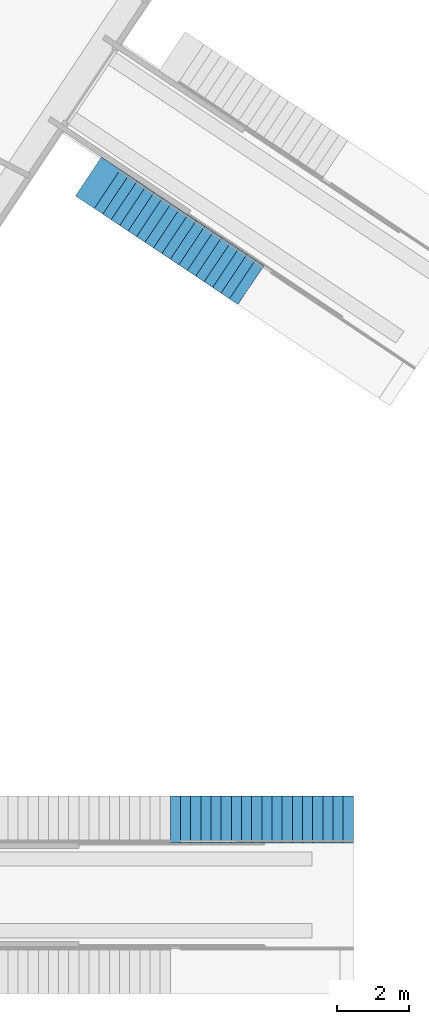
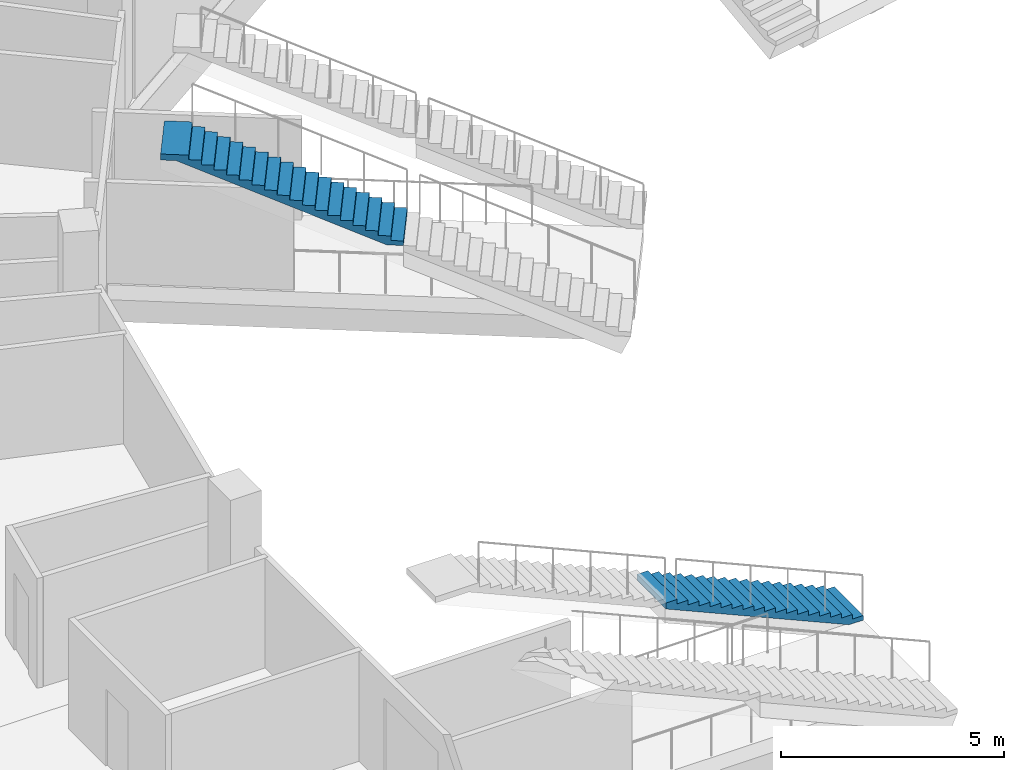
# One storey, part 114 of 175: 2 stair flights, 2 elements without a shape of their own.
"""IFC4 building model written with IfcOpenShell, lengths in metres."""

from ifc_helpers import new_model, si_unit, direction, frame, origin, place, context, subcontext, project, spatial, faceted_brep, material, type_object, element, aggregate, save


model = new_model("IFC4")

# Units and contexts
model_context = context("Model", 3, precision=1e-05, world=origin(), true_north=direction((0.0, 1.0)))
body_context = subcontext(model_context, "Body", "Model", "MODEL_VIEW")
ifc_project = project(units=[si_unit("LENGTHUNIT", "METRE"), si_unit("AREAUNIT", "SQUARE_METRE"), si_unit("VOLUMEUNIT", "CUBIC_METRE"), si_unit("PLANEANGLEUNIT", "RADIAN"), si_unit("MASSUNIT", "GRAM", prefix="KILO")], contexts=[model_context])

# Site, building, storey
site_placement = place(None, origin())
site = spatial("IfcSite", under=ifc_project, at=site_placement, CompositionType="ELEMENT")
building_placement = place(site_placement, origin())
building = spatial("IfcBuilding", under=site, at=building_placement, Name="Ogive Plaza Stadium", CompositionType="ELEMENT")
storey_placement = place(building_placement, origin())
storey = spatial("IfcBuildingStorey", under=building, at=storey_placement, Name="L00", CompositionType="ELEMENT", Elevation=0.0)

# Stair, stair flight
ifc_material_1 = material(Name="Concrete C40/50", Category="concrete")
stair_type = type_object("IfcStairType", Name="Aisle stair", PredefinedType="STRAIGHT_RUN_STAIR", material=ifc_material_1)
stair_1_placement = place(storey_placement, origin())
stair_1 = element("IfcStair", 1, at=stair_1_placement, inside=storey, type_object=stair_type, Name="Aisle stair SA27L", PredefinedType="STRAIGHT_RUN_STAIR")
ifc_material_2 = material(Name="Concrete C40/50", Category="concrete")
stair_flight_type = type_object("IfcStairFlightType", Name="Aisle stair flight", PredefinedType="STRAIGHT", material=ifc_material_2)
stair_flight_1_placement = place(storey_placement, frame((-49.14990234375, 47.10009765625, 0.0), z_axis=(0.0, 0.0, 1.0), x_axis=(-1.0, 0.0, 0.0)))
stair_flight_1 = element("IfcStairFlight", 2, at=stair_flight_1_placement, type_object=stair_flight_type, Name="SA27L flight 1", NumberOfRisers=18, NumberOfTreads=17, PredefinedType="STRAIGHT", RiserHeight=0.125, TreadLength=0.283333333, context=body_context, shape_type="Brep", body=[
    faceted_brep([(0.371337890625, -0.64990234375, 0.0), (5.10009765625, -0.64990234375, 2.086181640625), (5.10009765625, -0.64990234375, 2.25), (4.816650390625, -0.64990234375, 2.25), (4.816650390625, -0.64990234375, 2.125), (4.533447265625, -0.64990234375, 2.125), (4.533447265625, -0.64990234375, 2.0), (4.25, -0.64990234375, 2.0), (4.25, -0.64990234375, 1.875), (3.966552734375, -0.64990234375, 1.875), (3.966552734375, -0.64990234375, 1.75), (3.683349609375, -0.64990234375, 1.75), (3.683349609375, -0.64990234375, 1.625), (3.39990234375, -0.64990234375, 1.625), (3.39990234375, -0.64990234375, 1.5), (3.11669921875, -0.64990234375, 1.5), (3.11669921875, -0.64990234375, 1.375), (2.833251953125, -0.64990234375, 1.375), (2.833251953125, -0.64990234375, 1.25), (2.550048828125, -0.64990234375, 1.25), (2.550048828125, -0.64990234375, 1.125), (2.2666015625, -0.64990234375, 1.125), (2.2666015625, -0.64990234375, 1.0), (1.9833984375, -0.64990234375, 1.0), (1.9833984375, -0.64990234375, 0.875), (1.699951171875, -0.64990234375, 0.875), (1.699951171875, -0.64990234375, 0.75), (1.416748046875, -0.64990234375, 0.75), (1.416748046875, -0.64990234375, 0.625), (1.13330078125, -0.64990234375, 0.625), (1.13330078125, -0.64990234375, 0.5), (0.85009765625, -0.64990234375, 0.5), (0.85009765625, -0.64990234375, 0.375), (0.566650390625, -0.64990234375, 0.375), (0.566650390625, -0.64990234375, 0.25), (0.283447265625, -0.64990234375, 0.25), (0.283447265625, -0.64990234375, 0.125), (0.0, -0.64990234375, 0.125), (0.0, -0.64990234375, 0.0), (0.0, 0.64990234375, 0.0), (0.0, 0.64990234375, 0.125), (0.283447265625, 0.64990234375, 0.125), (0.283447265625, 0.64990234375, 0.25), (0.566650390625, 0.64990234375, 0.25), (0.566650390625, 0.64990234375, 0.375), (0.85009765625, 0.64990234375, 0.375), (0.85009765625, 0.64990234375, 0.5), (1.13330078125, 0.64990234375, 0.5), (1.13330078125, 0.64990234375, 0.625), (1.416748046875, 0.64990234375, 0.625), (1.416748046875, 0.64990234375, 0.75), (1.699951171875, 0.64990234375, 0.75), (1.699951171875, 0.64990234375, 0.875), (1.9833984375, 0.64990234375, 0.875), (1.9833984375, 0.64990234375, 1.0), (2.2666015625, 0.64990234375, 1.0), (2.2666015625, 0.64990234375, 1.125), (2.550048828125, 0.64990234375, 1.125), (2.550048828125, 0.64990234375, 1.25), (2.833251953125, 0.64990234375, 1.25), (2.833251953125, 0.64990234375, 1.375), (3.11669921875, 0.64990234375, 1.375), (3.11669921875, 0.64990234375, 1.5), (3.39990234375, 0.64990234375, 1.5), (3.39990234375, 0.64990234375, 1.625), (3.683349609375, 0.64990234375, 1.625), (3.683349609375, 0.64990234375, 1.75), (3.966552734375, 0.64990234375, 1.75), (3.966552734375, 0.64990234375, 1.875), (4.25, 0.64990234375, 1.875), (4.25, 0.64990234375, 2.0), (4.533447265625, 0.64990234375, 2.0), (4.533447265625, 0.64990234375, 2.125), (4.816650390625, 0.64990234375, 2.125), (4.816650390625, 0.64990234375, 2.25), (5.10009765625, 0.64990234375, 2.25), (5.10009765625, 0.64990234375, 2.086181640625), (0.371337890625, 0.64990234375, 0.0), (0.371337890625, -0.324951171875, 0.0), (5.10009765625, -0.324951171875, 2.086181640625), (0.371337890625, 0.0, 0.0), (5.10009765625, 0.0, 2.086181640625), (0.371337890625, 0.324951171875, 0.0), (5.10009765625, 0.324951171875, 2.086181640625), (5.10009765625, -0.324951171875, 2.25), (5.10009765625, 0.0, 2.25), (5.10009765625, 0.324951171875, 2.25), (4.816650390625, -0.324951171875, 2.25), (4.816650390625, 0.0, 2.25), (4.816650390625, 0.324951171875, 2.25), (4.816650390625, -0.324951171875, 2.125), (4.816650390625, 0.0, 2.125), (4.816650390625, 0.324951171875, 2.125), (4.533447265625, -0.324951171875, 2.125), (4.533447265625, 0.0, 2.125), (4.533447265625, 0.324951171875, 2.125), (4.533447265625, -0.324951171875, 2.0), (4.533447265625, 0.0, 2.0), (4.533447265625, 0.324951171875, 2.0), (4.25, -0.324951171875, 2.0), (4.25, 0.0, 2.0), (4.25, 0.324951171875, 2.0), (4.25, -0.324951171875, 1.875), (4.25, 0.0, 1.875), (4.25, 0.324951171875, 1.875), (3.966552734375, -0.324951171875, 1.875), (3.966552734375, 0.0, 1.875), (3.966552734375, 0.324951171875, 1.875), (3.966552734375, -0.324951171875, 1.75), (3.966552734375, 0.0, 1.75), (3.966552734375, 0.324951171875, 1.75), (3.683349609375, -0.324951171875, 1.75), (3.683349609375, 0.0, 1.75), (3.683349609375, 0.324951171875, 1.75), (3.683349609375, -0.324951171875, 1.625), (3.683349609375, 0.0, 1.625), (3.683349609375, 0.324951171875, 1.625), (3.39990234375, -0.324951171875, 1.625), (3.39990234375, 0.0, 1.625), (3.39990234375, 0.324951171875, 1.625), (3.39990234375, -0.324951171875, 1.5), (3.39990234375, 0.0, 1.5), (3.39990234375, 0.324951171875, 1.5), (3.11669921875, -0.324951171875, 1.5), (3.11669921875, 0.0, 1.5), (3.11669921875, 0.324951171875, 1.5), (3.11669921875, -0.324951171875, 1.375), (3.11669921875, 0.0, 1.375), (3.11669921875, 0.324951171875, 1.375), (2.833251953125, -0.324951171875, 1.375), (2.833251953125, 0.0, 1.375), (2.833251953125, 0.324951171875, 1.375), (2.833251953125, -0.324951171875, 1.25), (2.833251953125, 0.0, 1.25), (2.833251953125, 0.324951171875, 1.25), (2.550048828125, -0.324951171875, 1.25), (2.550048828125, 0.0, 1.25), (2.550048828125, 0.324951171875, 1.25), (2.550048828125, -0.324951171875, 1.125), (2.550048828125, 0.0, 1.125), (2.550048828125, 0.324951171875, 1.125), (2.2666015625, -0.324951171875, 1.125), (2.2666015625, 0.0, 1.125), (2.2666015625, 0.324951171875, 1.125), (2.2666015625, -0.324951171875, 1.0), (2.2666015625, 0.0, 1.0), (2.2666015625, 0.324951171875, 1.0), (1.9833984375, -0.324951171875, 1.0), (1.9833984375, 0.0, 1.0), (1.9833984375, 0.324951171875, 1.0), (1.9833984375, -0.324951171875, 0.875), (1.9833984375, 0.0, 0.875), (1.9833984375, 0.324951171875, 0.875), (1.699951171875, -0.324951171875, 0.875), (1.699951171875, 0.0, 0.875), (1.699951171875, 0.324951171875, 0.875), (1.699951171875, -0.324951171875, 0.75), (1.699951171875, 0.0, 0.75), (1.699951171875, 0.324951171875, 0.75), (1.416748046875, -0.324951171875, 0.75), (1.416748046875, 0.0, 0.75), (1.416748046875, 0.324951171875, 0.75), (1.416748046875, -0.324951171875, 0.625), (1.416748046875, 0.0, 0.625), (1.416748046875, 0.324951171875, 0.625), (1.13330078125, -0.324951171875, 0.625), (1.13330078125, 0.0, 0.625), (1.13330078125, 0.324951171875, 0.625), (1.13330078125, -0.324951171875, 0.5), (1.13330078125, 0.0, 0.5), (1.13330078125, 0.324951171875, 0.5), (0.85009765625, -0.324951171875, 0.5), (0.85009765625, 0.0, 0.5), (0.85009765625, 0.324951171875, 0.5), (0.85009765625, -0.324951171875, 0.375), (0.85009765625, 0.0, 0.375), (0.85009765625, 0.324951171875, 0.375), (0.566650390625, -0.324951171875, 0.375), (0.566650390625, 0.0, 0.375), (0.566650390625, 0.324951171875, 0.375), (0.566650390625, -0.324951171875, 0.25), (0.566650390625, 0.0, 0.25), (0.566650390625, 0.324951171875, 0.25), (0.283447265625, -0.324951171875, 0.25), (0.283447265625, 0.0, 0.25), (0.283447265625, 0.324951171875, 0.25), (0.283447265625, -0.324951171875, 0.125), (0.283447265625, 0.0, 0.125), (0.283447265625, 0.324951171875, 0.125), (0.0, -0.324951171875, 0.125), (0.0, 0.0, 0.125), (0.0, 0.324951171875, 0.125), (0.0, -0.324951171875, 0.0), (0.0, 0.0, 0.0), (0.0, 0.324951171875, 0.0)], [[[0, 1, 2, 3, 4, 5, 6, 7, 8, 9, 10, 11, 12, 13, 14, 15, 16, 17, 18, 19, 20, 21, 22, 23, 24, 25, 26, 27, 28, 29, 30, 31, 32, 33, 34, 35, 36, 37, 38]], [[39, 40, 41, 42, 43, 44, 45, 46, 47, 48, 49, 50, 51, 52, 53, 54, 55, 56, 57, 58, 59, 60, 61, 62, 63, 64, 65, 66, 67, 68, 69, 70, 71, 72, 73, 74, 75, 76, 77]], [[0, 78, 79, 1]], [[78, 80, 81, 79]], [[80, 82, 83, 81]], [[82, 77, 76, 83]], [[1, 79, 84, 2]], [[79, 81, 85, 84]], [[81, 83, 86, 85]], [[83, 76, 75, 86]], [[2, 84, 87, 3]], [[84, 85, 88, 87]], [[85, 86, 89, 88]], [[86, 75, 74, 89]], [[3, 87, 90, 4]], [[87, 88, 91, 90]], [[88, 89, 92, 91]], [[89, 74, 73, 92]], [[4, 90, 93, 5]], [[90, 91, 94, 93]], [[91, 92, 95, 94]], [[92, 73, 72, 95]], [[5, 93, 96, 6]], [[93, 94, 97, 96]], [[94, 95, 98, 97]], [[95, 72, 71, 98]], [[6, 96, 99, 7]], [[96, 97, 100, 99]], [[97, 98, 101, 100]], [[98, 71, 70, 101]], [[7, 99, 102, 8]], [[99, 100, 103, 102]], [[100, 101, 104, 103]], [[101, 70, 69, 104]], [[8, 102, 105, 9]], [[102, 103, 106, 105]], [[103, 104, 107, 106]], [[104, 69, 68, 107]], [[9, 105, 108, 10]], [[105, 106, 109, 108]], [[106, 107, 110, 109]], [[107, 68, 67, 110]], [[10, 108, 111, 11]], [[108, 109, 112, 111]], [[109, 110, 113, 112]], [[110, 67, 66, 113]], [[11, 111, 114, 12]], [[111, 112, 115, 114]], [[112, 113, 116, 115]], [[113, 66, 65, 116]], [[12, 114, 117, 13]], [[114, 115, 118, 117]], [[115, 116, 119, 118]], [[116, 65, 64, 119]], [[13, 117, 120, 14]], [[117, 118, 121, 120]], [[118, 119, 122, 121]], [[119, 64, 63, 122]], [[14, 120, 123, 15]], [[120, 121, 124, 123]], [[121, 122, 125, 124]], [[122, 63, 62, 125]], [[15, 123, 126, 16]], [[123, 124, 127, 126]], [[124, 125, 128, 127]], [[125, 62, 61, 128]], [[16, 126, 129, 17]], [[126, 127, 130, 129]], [[127, 128, 131, 130]], [[128, 61, 60, 131]], [[17, 129, 132, 18]], [[129, 130, 133, 132]], [[130, 131, 134, 133]], [[131, 60, 59, 134]], [[18, 132, 135, 19]], [[132, 133, 136, 135]], [[133, 134, 137, 136]], [[134, 59, 58, 137]], [[19, 135, 138, 20]], [[135, 136, 139, 138]], [[136, 137, 140, 139]], [[137, 58, 57, 140]], [[20, 138, 141, 21]], [[138, 139, 142, 141]], [[139, 140, 143, 142]], [[140, 57, 56, 143]], [[21, 141, 144, 22]], [[141, 142, 145, 144]], [[142, 143, 146, 145]], [[143, 56, 55, 146]], [[22, 144, 147, 23]], [[144, 145, 148, 147]], [[145, 146, 149, 148]], [[146, 55, 54, 149]], [[23, 147, 150, 24]], [[147, 148, 151, 150]], [[148, 149, 152, 151]], [[149, 54, 53, 152]], [[24, 150, 153, 25]], [[150, 151, 154, 153]], [[151, 152, 155, 154]], [[152, 53, 52, 155]], [[25, 153, 156, 26]], [[153, 154, 157, 156]], [[154, 155, 158, 157]], [[155, 52, 51, 158]], [[26, 156, 159, 27]], [[156, 157, 160, 159]], [[157, 158, 161, 160]], [[158, 51, 50, 161]], [[27, 159, 162, 28]], [[159, 160, 163, 162]], [[160, 161, 164, 163]], [[161, 50, 49, 164]], [[28, 162, 165, 29]], [[162, 163, 166, 165]], [[163, 164, 167, 166]], [[164, 49, 48, 167]], [[29, 165, 168, 30]], [[165, 166, 169, 168]], [[166, 167, 170, 169]], [[167, 48, 47, 170]], [[30, 168, 171, 31]], [[168, 169, 172, 171]], [[169, 170, 173, 172]], [[170, 47, 46, 173]], [[31, 171, 174, 32]], [[171, 172, 175, 174]], [[172, 173, 176, 175]], [[173, 46, 45, 176]], [[32, 174, 177, 33]], [[174, 175, 178, 177]], [[175, 176, 179, 178]], [[176, 45, 44, 179]], [[33, 177, 180, 34]], [[177, 178, 181, 180]], [[178, 179, 182, 181]], [[179, 44, 43, 182]], [[34, 180, 183, 35]], [[180, 181, 184, 183]], [[181, 182, 185, 184]], [[182, 43, 42, 185]], [[35, 183, 186, 36]], [[183, 184, 187, 186]], [[184, 185, 188, 187]], [[185, 42, 41, 188]], [[36, 186, 189, 37]], [[186, 187, 190, 189]], [[187, 188, 191, 190]], [[188, 41, 40, 191]], [[37, 189, 192, 38]], [[189, 190, 193, 192]], [[190, 191, 194, 193]], [[191, 40, 39, 194]], [[38, 192, 78, 0]], [[192, 193, 80, 78]], [[193, 194, 82, 80]], [[194, 39, 77, 82]]]),
])
aggregate(stair_1, [stair_flight_1])

stair_2_placement = place(storey_placement, origin())
stair_2 = element("IfcStair", 3, at=stair_2_placement, inside=storey, type_object=stair_type, Name="Aisle stair SA29R", PredefinedType="STRAIGHT_RUN_STAIR")
stair_flight_2_placement = place(storey_placement, frame((-52.00390625, 62.004150390625, 2.25), z_axis=(0.0, 0.0, 1.0), x_axis=(-0.831469612303, 0.55557023302, 0.0)))
stair_flight_2 = element("IfcStairFlight", 4, at=stair_flight_2_placement, type_object=stair_flight_type, Name="SA29R flight 2", NumberOfRisers=18, NumberOfTreads=17, PredefinedType="STRAIGHT", RiserHeight=0.125, TreadLength=0.283333333, context=body_context, shape_type="Brep", body=[
    faceted_brep([(0.371337890625, -0.64990234375, 0.0), (5.10009765625, -0.64990234375, 2.086181640625), (5.446533203125, -0.64990234375, 2.086181640625), (5.446533203125, -0.64990234375, 2.25), (4.816650390625, -0.64990234375, 2.25), (4.816650390625, -0.64990234375, 2.125), (4.533447265625, -0.64990234375, 2.125), (4.533447265625, -0.64990234375, 2.0), (4.25, -0.64990234375, 2.0), (4.25, -0.64990234375, 1.875), (3.966552734375, -0.64990234375, 1.875), (3.966552734375, -0.64990234375, 1.75), (3.683349609375, -0.64990234375, 1.75), (3.683349609375, -0.64990234375, 1.625), (3.39990234375, -0.64990234375, 1.625), (3.39990234375, -0.64990234375, 1.5), (3.11669921875, -0.64990234375, 1.5), (3.11669921875, -0.64990234375, 1.375), (2.833251953125, -0.64990234375, 1.375), (2.833251953125, -0.64990234375, 1.25), (2.550048828125, -0.64990234375, 1.25), (2.550048828125, -0.64990234375, 1.125), (2.2666015625, -0.64990234375, 1.125), (2.2666015625, -0.64990234375, 1.0), (1.9833984375, -0.64990234375, 1.0), (1.9833984375, -0.64990234375, 0.875), (1.699951171875, -0.64990234375, 0.875), (1.699951171875, -0.64990234375, 0.75), (1.416748046875, -0.64990234375, 0.75), (1.416748046875, -0.64990234375, 0.625), (1.13330078125, -0.64990234375, 0.625), (1.13330078125, -0.64990234375, 0.5), (0.85009765625, -0.64990234375, 0.5), (0.85009765625, -0.64990234375, 0.375), (0.566650390625, -0.64990234375, 0.375), (0.566650390625, -0.64990234375, 0.25), (0.283447265625, -0.64990234375, 0.25), (0.283447265625, -0.64990234375, 0.125), (0.0, -0.64990234375, 0.125), (0.0, -0.64990234375, 0.0), (0.0, 0.64990234375, 0.0), (0.0, 0.64990234375, 0.125), (0.283447265625, 0.64990234375, 0.125), (0.283447265625, 0.64990234375, 0.25), (0.566650390625, 0.64990234375, 0.25), (0.566650390625, 0.64990234375, 0.375), (0.85009765625, 0.64990234375, 0.375), (0.85009765625, 0.64990234375, 0.5), (1.13330078125, 0.64990234375, 0.5), (1.13330078125, 0.64990234375, 0.625), (1.416748046875, 0.64990234375, 0.625), (1.416748046875, 0.64990234375, 0.75), (1.699951171875, 0.64990234375, 0.75), (1.699951171875, 0.64990234375, 0.875), (1.9833984375, 0.64990234375, 0.875), (1.9833984375, 0.64990234375, 1.0), (2.2666015625, 0.64990234375, 1.0), (2.2666015625, 0.64990234375, 1.125), (2.550048828125, 0.64990234375, 1.125), (2.550048828125, 0.64990234375, 1.25), (2.833251953125, 0.64990234375, 1.25), (2.833251953125, 0.64990234375, 1.375), (3.11669921875, 0.64990234375, 1.375), (3.11669921875, 0.64990234375, 1.5), (3.39990234375, 0.64990234375, 1.5), (3.39990234375, 0.64990234375, 1.625), (3.683349609375, 0.64990234375, 1.625), (3.683349609375, 0.64990234375, 1.75), (3.966552734375, 0.64990234375, 1.75), (3.966552734375, 0.64990234375, 1.875), (4.25, 0.64990234375, 1.875), (4.25, 0.64990234375, 2.0), (4.533447265625, 0.64990234375, 2.0), (4.533447265625, 0.64990234375, 2.125), (4.816650390625, 0.64990234375, 2.125), (4.816650390625, 0.64990234375, 2.25), (5.446533203125, 0.64990234375, 2.25), (5.446533203125, 0.64990234375, 2.086181640625), (5.10009765625, 0.64990234375, 2.086181640625), (0.371337890625, 0.64990234375, 0.0), (0.371337890625, -0.324951171875, 0.0), (5.10009765625, -0.324951171875, 2.086181640625), (0.371337890625, 0.0, 0.0), (5.10009765625, 0.0, 2.086181640625), (0.371337890625, 0.324951171875, 0.0), (5.10009765625, 0.324951171875, 2.086181640625), (5.446533203125, -0.324951171875, 2.086181640625), (5.446533203125, 0.0, 2.086181640625), (5.446533203125, 0.324951171875, 2.086181640625), (5.446533203125, -0.324951171875, 2.25), (5.446533203125, 0.0, 2.25), (5.446533203125, 0.324951171875, 2.25), (4.816650390625, -0.324951171875, 2.25), (4.816650390625, 0.0, 2.25), (4.816650390625, 0.324951171875, 2.25), (4.816650390625, -0.324951171875, 2.125), (4.816650390625, 0.0, 2.125), (4.816650390625, 0.324951171875, 2.125), (4.533447265625, -0.324951171875, 2.125), (4.533447265625, 0.0, 2.125), (4.533447265625, 0.324951171875, 2.125), (4.533447265625, -0.324951171875, 2.0), (4.533447265625, 0.0, 2.0), (4.533447265625, 0.324951171875, 2.0), (4.25, -0.324951171875, 2.0), (4.25, 0.0, 2.0), (4.25, 0.324951171875, 2.0), (4.25, -0.324951171875, 1.875), (4.25, 0.0, 1.875), (4.25, 0.324951171875, 1.875), (3.966552734375, -0.324951171875, 1.875), (3.966552734375, 0.0, 1.875), (3.966552734375, 0.324951171875, 1.875), (3.966552734375, -0.324951171875, 1.75), (3.966552734375, 0.0, 1.75), (3.966552734375, 0.324951171875, 1.75), (3.683349609375, -0.324951171875, 1.75), (3.683349609375, 0.0, 1.75), (3.683349609375, 0.324951171875, 1.75), (3.683349609375, -0.324951171875, 1.625), (3.683349609375, 0.0, 1.625), (3.683349609375, 0.324951171875, 1.625), (3.39990234375, -0.324951171875, 1.625), (3.39990234375, 0.0, 1.625), (3.39990234375, 0.324951171875, 1.625), (3.39990234375, -0.324951171875, 1.5), (3.39990234375, 0.0, 1.5), (3.39990234375, 0.324951171875, 1.5), (3.11669921875, -0.324951171875, 1.5), (3.11669921875, 0.0, 1.5), (3.11669921875, 0.324951171875, 1.5), (3.11669921875, -0.324951171875, 1.375), (3.11669921875, 0.0, 1.375), (3.11669921875, 0.324951171875, 1.375), (2.833251953125, -0.324951171875, 1.375), (2.833251953125, 0.0, 1.375), (2.833251953125, 0.324951171875, 1.375), (2.833251953125, -0.324951171875, 1.25), (2.833251953125, 0.0, 1.25), (2.833251953125, 0.324951171875, 1.25), (2.550048828125, -0.324951171875, 1.25), (2.550048828125, 0.0, 1.25), (2.550048828125, 0.324951171875, 1.25), (2.550048828125, -0.324951171875, 1.125), (2.550048828125, 0.0, 1.125), (2.550048828125, 0.324951171875, 1.125), (2.2666015625, -0.324951171875, 1.125), (2.2666015625, 0.0, 1.125), (2.2666015625, 0.324951171875, 1.125), (2.2666015625, -0.324951171875, 1.0), (2.2666015625, 0.0, 1.0), (2.2666015625, 0.324951171875, 1.0), (1.9833984375, -0.324951171875, 1.0), (1.9833984375, 0.0, 1.0), (1.9833984375, 0.324951171875, 1.0), (1.9833984375, -0.324951171875, 0.875), (1.9833984375, 0.0, 0.875), (1.9833984375, 0.324951171875, 0.875), (1.699951171875, -0.324951171875, 0.875), (1.699951171875, 0.0, 0.875), (1.699951171875, 0.324951171875, 0.875), (1.699951171875, -0.324951171875, 0.75), (1.699951171875, 0.0, 0.75), (1.699951171875, 0.324951171875, 0.75), (1.416748046875, -0.324951171875, 0.75), (1.416748046875, 0.0, 0.75), (1.416748046875, 0.324951171875, 0.75), (1.416748046875, -0.324951171875, 0.625), (1.416748046875, 0.0, 0.625), (1.416748046875, 0.324951171875, 0.625), (1.13330078125, -0.324951171875, 0.625), (1.13330078125, 0.0, 0.625), (1.13330078125, 0.324951171875, 0.625), (1.13330078125, -0.324951171875, 0.5), (1.13330078125, 0.0, 0.5), (1.13330078125, 0.324951171875, 0.5), (0.85009765625, -0.324951171875, 0.5), (0.85009765625, 0.0, 0.5), (0.85009765625, 0.324951171875, 0.5), (0.85009765625, -0.324951171875, 0.375), (0.85009765625, 0.0, 0.375), (0.85009765625, 0.324951171875, 0.375), (0.566650390625, -0.324951171875, 0.375), (0.566650390625, 0.0, 0.375), (0.566650390625, 0.324951171875, 0.375), (0.566650390625, -0.324951171875, 0.25), (0.566650390625, 0.0, 0.25), (0.566650390625, 0.324951171875, 0.25), (0.283447265625, -0.324951171875, 0.25), (0.283447265625, 0.0, 0.25), (0.283447265625, 0.324951171875, 0.25), (0.283447265625, -0.324951171875, 0.125), (0.283447265625, 0.0, 0.125), (0.283447265625, 0.324951171875, 0.125), (0.0, -0.324951171875, 0.125), (0.0, 0.0, 0.125), (0.0, 0.324951171875, 0.125), (0.0, -0.324951171875, 0.0), (0.0, 0.0, 0.0), (0.0, 0.324951171875, 0.0)], [[[0, 1, 2, 3, 4, 5, 6, 7, 8, 9, 10, 11, 12, 13, 14, 15, 16, 17, 18, 19, 20, 21, 22, 23, 24, 25, 26, 27, 28, 29, 30, 31, 32, 33, 34, 35, 36, 37, 38, 39]], [[40, 41, 42, 43, 44, 45, 46, 47, 48, 49, 50, 51, 52, 53, 54, 55, 56, 57, 58, 59, 60, 61, 62, 63, 64, 65, 66, 67, 68, 69, 70, 71, 72, 73, 74, 75, 76, 77, 78, 79]], [[0, 80, 81, 1]], [[80, 82, 83, 81]], [[82, 84, 85, 83]], [[84, 79, 78, 85]], [[1, 81, 86, 2]], [[81, 83, 87, 86]], [[83, 85, 88, 87]], [[85, 78, 77, 88]], [[2, 86, 89, 3]], [[86, 87, 90, 89]], [[87, 88, 91, 90]], [[88, 77, 76, 91]], [[3, 89, 92, 4]], [[89, 90, 93, 92]], [[90, 91, 94, 93]], [[91, 76, 75, 94]], [[4, 92, 95, 5]], [[92, 93, 96, 95]], [[93, 94, 97, 96]], [[94, 75, 74, 97]], [[5, 95, 98, 6]], [[95, 96, 99, 98]], [[96, 97, 100, 99]], [[97, 74, 73, 100]], [[6, 98, 101, 7]], [[98, 99, 102, 101]], [[99, 100, 103, 102]], [[100, 73, 72, 103]], [[7, 101, 104, 8]], [[101, 102, 105, 104]], [[102, 103, 106, 105]], [[103, 72, 71, 106]], [[8, 104, 107, 9]], [[104, 105, 108, 107]], [[105, 106, 109, 108]], [[106, 71, 70, 109]], [[9, 107, 110, 10]], [[107, 108, 111, 110]], [[108, 109, 112, 111]], [[109, 70, 69, 112]], [[10, 110, 113, 11]], [[110, 111, 114, 113]], [[111, 112, 115, 114]], [[112, 69, 68, 115]], [[11, 113, 116, 12]], [[113, 114, 117, 116]], [[114, 115, 118, 117]], [[115, 68, 67, 118]], [[12, 116, 119, 13]], [[116, 117, 120, 119]], [[117, 118, 121, 120]], [[118, 67, 66, 121]], [[13, 119, 122, 14]], [[119, 120, 123, 122]], [[120, 121, 124, 123]], [[121, 66, 65, 124]], [[14, 122, 125, 15]], [[122, 123, 126, 125]], [[123, 124, 127, 126]], [[124, 65, 64, 127]], [[15, 125, 128, 16]], [[125, 126, 129, 128]], [[126, 127, 130, 129]], [[127, 64, 63, 130]], [[16, 128, 131, 17]], [[128, 129, 132, 131]], [[129, 130, 133, 132]], [[130, 63, 62, 133]], [[17, 131, 134, 18]], [[131, 132, 135, 134]], [[132, 133, 136, 135]], [[133, 62, 61, 136]], [[18, 134, 137, 19]], [[134, 135, 138, 137]], [[135, 136, 139, 138]], [[136, 61, 60, 139]], [[19, 137, 140, 20]], [[137, 138, 141, 140]], [[138, 139, 142, 141]], [[139, 60, 59, 142]], [[20, 140, 143, 21]], [[140, 141, 144, 143]], [[141, 142, 145, 144]], [[142, 59, 58, 145]], [[21, 143, 146, 22]], [[143, 144, 147, 146]], [[144, 145, 148, 147]], [[145, 58, 57, 148]], [[22, 146, 149, 23]], [[146, 147, 150, 149]], [[147, 148, 151, 150]], [[148, 57, 56, 151]], [[23, 149, 152, 24]], [[149, 150, 153, 152]], [[150, 151, 154, 153]], [[151, 56, 55, 154]], [[24, 152, 155, 25]], [[152, 153, 156, 155]], [[153, 154, 157, 156]], [[154, 55, 54, 157]], [[25, 155, 158, 26]], [[155, 156, 159, 158]], [[156, 157, 160, 159]], [[157, 54, 53, 160]], [[26, 158, 161, 27]], [[158, 159, 162, 161]], [[159, 160, 163, 162]], [[160, 53, 52, 163]], [[27, 161, 164, 28]], [[161, 162, 165, 164]], [[162, 163, 166, 165]], [[163, 52, 51, 166]], [[28, 164, 167, 29]], [[164, 165, 168, 167]], [[165, 166, 169, 168]], [[166, 51, 50, 169]], [[29, 167, 170, 30]], [[167, 168, 171, 170]], [[168, 169, 172, 171]], [[169, 50, 49, 172]], [[30, 170, 173, 31]], [[170, 171, 174, 173]], [[171, 172, 175, 174]], [[172, 49, 48, 175]], [[31, 173, 176, 32]], [[173, 174, 177, 176]], [[174, 175, 178, 177]], [[175, 48, 47, 178]], [[32, 176, 179, 33]], [[176, 177, 180, 179]], [[177, 178, 181, 180]], [[178, 47, 46, 181]], [[33, 179, 182, 34]], [[179, 180, 183, 182]], [[180, 181, 184, 183]], [[181, 46, 45, 184]], [[34, 182, 185, 35]], [[182, 183, 186, 185]], [[183, 184, 187, 186]], [[184, 45, 44, 187]], [[35, 185, 188, 36]], [[185, 186, 189, 188]], [[186, 187, 190, 189]], [[187, 44, 43, 190]], [[36, 188, 191, 37]], [[188, 189, 192, 191]], [[189, 190, 193, 192]], [[190, 43, 42, 193]], [[37, 191, 194, 38]], [[191, 192, 195, 194]], [[192, 193, 196, 195]], [[193, 42, 41, 196]], [[38, 194, 197, 39]], [[194, 195, 198, 197]], [[195, 196, 199, 198]], [[196, 41, 40, 199]], [[39, 197, 80, 0]], [[197, 198, 82, 80]], [[198, 199, 84, 82]], [[199, 40, 79, 84]]]),
])
aggregate(stair_2, [stair_flight_2])

save(model, "model.ifc")
